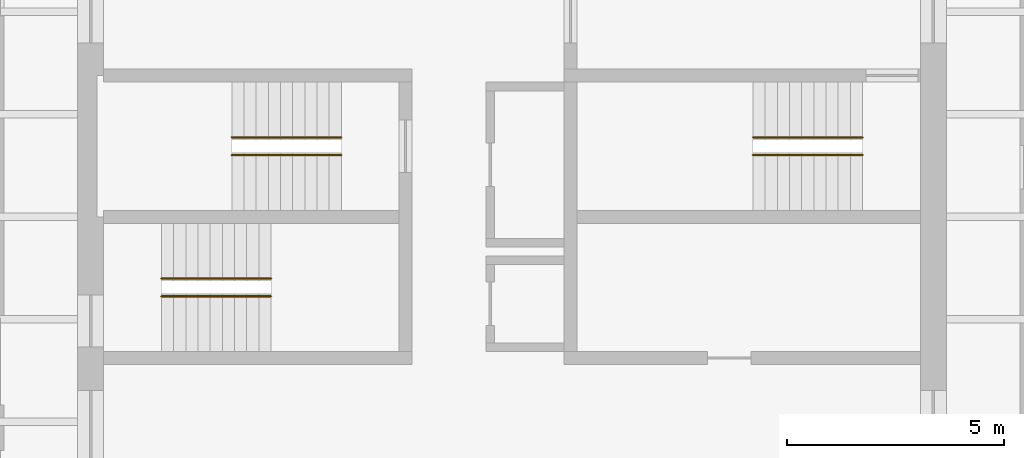
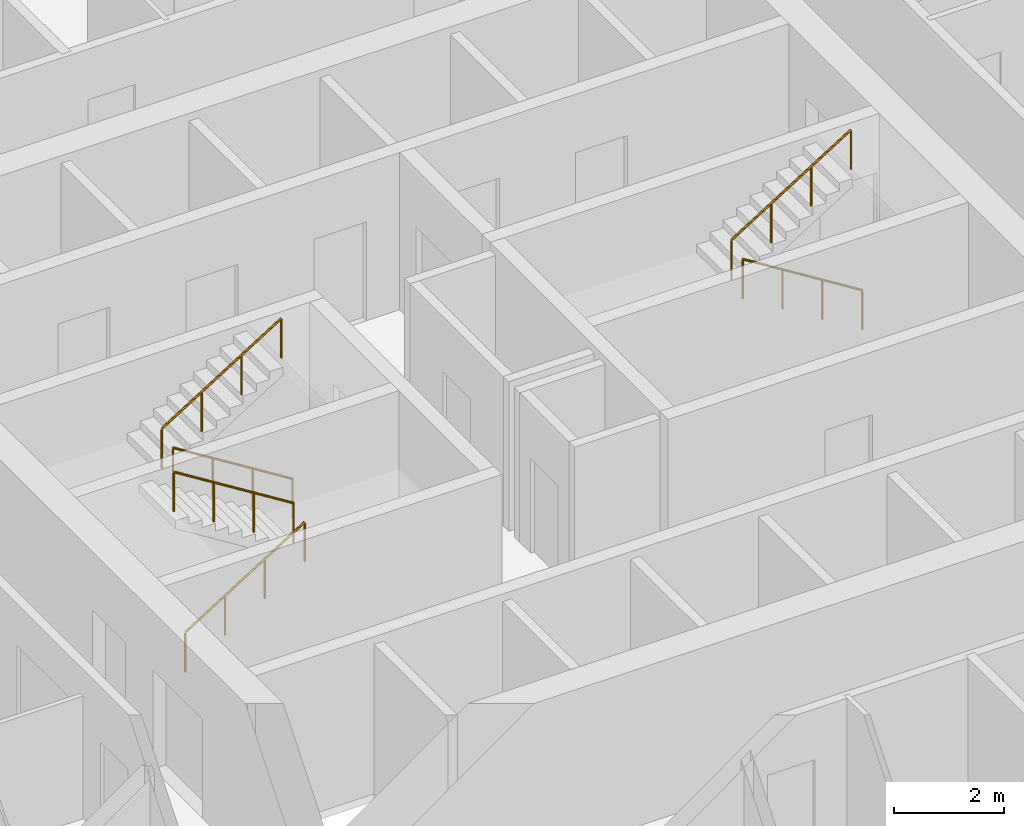
# One storey, part 9 of 9: 6 railings.
"""IFC4 building model written with IfcOpenShell, lengths in metres."""

from ifc_helpers import new_model, si_unit, direction, frame, origin, origin_2d, place, context, subcontext, project, spatial, circle, extrude, material, type_object, element, save


model = new_model("IFC4")

# Units and contexts
model_context = context("Model", 3, precision=1e-05, world=origin(), true_north=direction((0.0, 1.0)))
body_context = subcontext(model_context, "Body", "Model", "MODEL_VIEW")
ifc_project = project(units=[si_unit("LENGTHUNIT", "METRE"), si_unit("AREAUNIT", "SQUARE_METRE"), si_unit("VOLUMEUNIT", "CUBIC_METRE"), si_unit("PLANEANGLEUNIT", "RADIAN"), si_unit("MASSUNIT", "GRAM", prefix="KILO")], contexts=[model_context])

# Site, building, storey
site_placement = place(None, origin())
site = spatial("IfcSite", under=ifc_project, at=site_placement, CompositionType="ELEMENT")
building_placement = place(site_placement, origin())
building = spatial("IfcBuilding", under=site, at=building_placement, Name="Turquesa Mirador Hotel Tower", CompositionType="ELEMENT")
storey_placement = place(building_placement, frame((0.0, 0.0, 96.89990234375)))
storey = spatial("IfcBuildingStorey", under=building, at=storey_placement, Name="L25", CompositionType="ELEMENT", Elevation=96.89990234375)

# Railings
ifc_material = material(Name="Painted steel handrail", Category="steel")
railing_type = type_object("IfcRailingType", Name="HANDRAIL 900 STEEL", PredefinedType="HANDRAIL", material=ifc_material)
railing_1_placement = place(storey_placement, frame((51.070068359375, 46.419921875, 0.175048828125)))
element("IfcRailing", 1, at=railing_1_placement, inside=storey, type_object=railing_type, Name="Handrail ST1", PredefinedType="HANDRAIL", context=body_context, shape_type="SweptSolid", body=[
    extrude(circle(Radius=0.02392578125, at=origin_2d()), frame((0.0, 0.0, 0.8759765625), z_axis=(-0.848007534815, 0.0, 0.529984170421), x_axis=(0.0, -1.0, 0.0)), (0.0, 0.0, 1.0), 2.9716796875),
    extrude(circle(Radius=0.02099609375, at=origin_2d()), origin(), (0.0, 0.0, 1.0), 0.851806640625),
    extrude(circle(Radius=0.02099609375, at=origin_2d()), frame((-0.840087890625, 0.0, 0.52490234375)), (0.0, 0.0, 1.0), 0.851806640625),
    extrude(circle(Radius=0.02099609375, at=origin_2d()), frame((-1.679931640625, 0.0, 1.050048828125)), (0.0, 0.0, 1.0), 0.851806640625),
    extrude(circle(Radius=0.02099609375, at=origin_2d()), frame((-2.52001953125, 0.0, 1.574951171875)), (0.0, 0.0, 1.0), 0.851806640625),
])
for number, where, name in (
    (2, (48.550048828125, 46.830078125, 1.925048828125), "Handrail ST1"),
    (3, (46.929931640625, 43.169921875, 0.175048828125), "Handrail ST2"),
):
    element("IfcRailing", number, at=place(storey_placement, frame(where)), inside=storey, type_object=railing_type, Name=name, PredefinedType="HANDRAIL", context=body_context, shape_type="SweptSolid", body=[
        extrude(circle(Radius=0.02392578125, at=origin_2d()), frame((0.0, 0.0, 0.8759765625), z_axis=(0.848007534815, 0.0, 0.529984170421), x_axis=(0.0, 1.0, 0.0)), (0.0, 0.0, 1.0), 2.9716796875),
        extrude(circle(Radius=0.02099609375, at=origin_2d()), origin(), (0.0, 0.0, 1.0), 0.851806640625),
        extrude(circle(Radius=0.02099609375, at=origin_2d()), frame((0.840087890625, 0.0, 0.52490234375)), (0.0, 0.0, 1.0), 0.851806640625),
        extrude(circle(Radius=0.02099609375, at=origin_2d()), frame((1.679931640625, 0.0, 1.050048828125)), (0.0, 0.0, 1.0), 0.851806640625),
        extrude(circle(Radius=0.02099609375, at=origin_2d()), frame((2.52001953125, 0.0, 1.574951171875)), (0.0, 0.0, 1.0), 0.851806640625),
    ])
for number, where, name in (
    (4, (49.449951171875, 43.580078125, 1.925048828125), "Handrail ST2"),
    (5, (63.070068359375, 46.419921875, 0.175048828125), "Handrail ST3"),
):
    element("IfcRailing", number, at=place(storey_placement, frame(where)), inside=storey, type_object=railing_type, Name=name, PredefinedType="HANDRAIL", context=body_context, shape_type="SweptSolid", body=[
        extrude(circle(Radius=0.02392578125, at=origin_2d()), frame((0.0, 0.0, 0.8759765625), z_axis=(-0.848007534815, 0.0, 0.529984170421), x_axis=(0.0, -1.0, 0.0)), (0.0, 0.0, 1.0), 2.9716796875),
        extrude(circle(Radius=0.02099609375, at=origin_2d()), origin(), (0.0, 0.0, 1.0), 0.851806640625),
        extrude(circle(Radius=0.02099609375, at=origin_2d()), frame((-0.840087890625, 0.0, 0.52490234375)), (0.0, 0.0, 1.0), 0.851806640625),
        extrude(circle(Radius=0.02099609375, at=origin_2d()), frame((-1.679931640625, 0.0, 1.050048828125)), (0.0, 0.0, 1.0), 0.851806640625),
        extrude(circle(Radius=0.02099609375, at=origin_2d()), frame((-2.52001953125, 0.0, 1.574951171875)), (0.0, 0.0, 1.0), 0.851806640625),
    ])
railing_2_placement = place(storey_placement, frame((60.550048828125, 46.830078125, 1.925048828125)))
element("IfcRailing", 6, at=railing_2_placement, inside=storey, type_object=railing_type, Name="Handrail ST3", PredefinedType="HANDRAIL", context=body_context, shape_type="SweptSolid", body=[
    extrude(circle(Radius=0.02392578125, at=origin_2d()), frame((0.0, 0.0, 0.8759765625), z_axis=(0.848007534815, 0.0, 0.529984170421), x_axis=(0.0, 1.0, 0.0)), (0.0, 0.0, 1.0), 2.9716796875),
    extrude(circle(Radius=0.02099609375, at=origin_2d()), origin(), (0.0, 0.0, 1.0), 0.851806640625),
    extrude(circle(Radius=0.02099609375, at=origin_2d()), frame((0.840087890625, 0.0, 0.52490234375)), (0.0, 0.0, 1.0), 0.851806640625),
    extrude(circle(Radius=0.02099609375, at=origin_2d()), frame((1.679931640625, 0.0, 1.050048828125)), (0.0, 0.0, 1.0), 0.851806640625),
    extrude(circle(Radius=0.02099609375, at=origin_2d()), frame((2.52001953125, 0.0, 1.574951171875)), (0.0, 0.0, 1.0), 0.851806640625),
])

save(model, "model.ifc")
